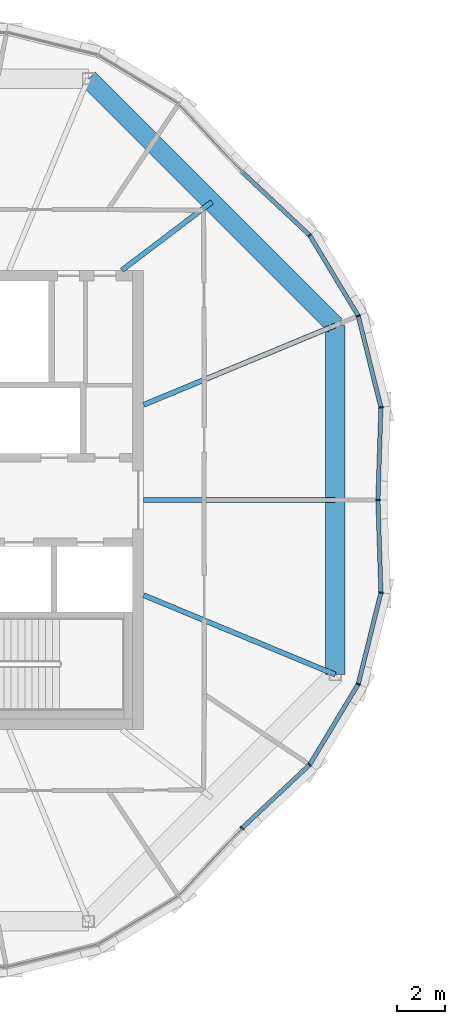
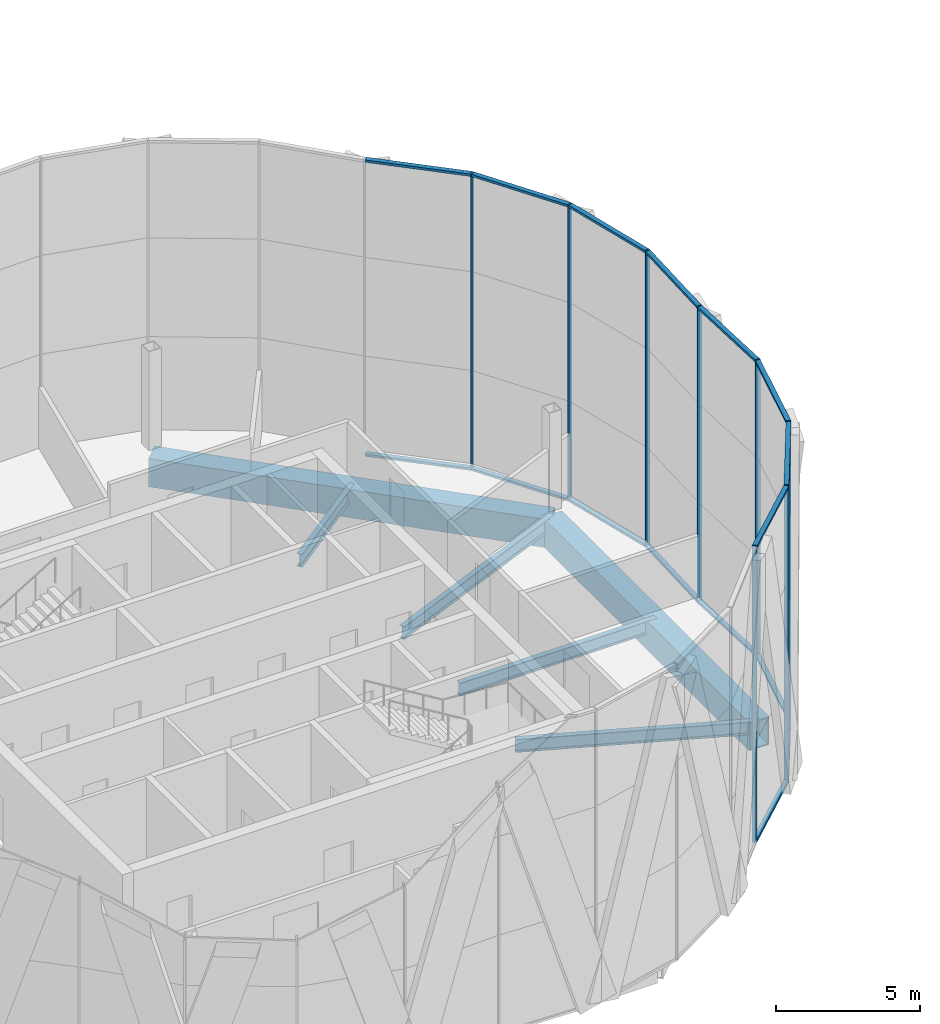
# One storey, part 6 of 23: 24 members, 6 beams, 3 elements without a shape of their own.
"""IFC4 building model written with IfcOpenShell, lengths in metres."""

from ifc_helpers import new_model, si_unit, direction, frame, origin, origin_2d, place, context, subcontext, project, spatial, rectangle, hollow_rectangle, i_section, extrude, material, material_profile, profile_set, type_object, element, aggregate, save


model = new_model("IFC4")

# Units and contexts
model_context = context("Model", 3, precision=1e-05, world=origin(), true_north=direction((0.0, 1.0)))
body_context = subcontext(model_context, "Body", "Model", "MODEL_VIEW")
ifc_project = project(units=[si_unit("LENGTHUNIT", "METRE"), si_unit("AREAUNIT", "SQUARE_METRE"), si_unit("VOLUMEUNIT", "CUBIC_METRE"), si_unit("PLANEANGLEUNIT", "RADIAN"), si_unit("MASSUNIT", "GRAM", prefix="KILO")], contexts=[model_context])

# Site, building, storey
site_placement = place(None, origin())
site = spatial("IfcSite", under=ifc_project, at=site_placement, CompositionType="ELEMENT")
building_placement = place(site_placement, origin())
building = spatial("IfcBuilding", under=site, at=building_placement, Name="Ogive Gate Towers", CompositionType="ELEMENT")
storey_placement = place(building_placement, frame((0.0, 0.0, 256.199951171875)))
storey = spatial("IfcBuildingStorey", under=building, at=storey_placement, Name="L60", CompositionType="ELEMENT", Elevation=256.199951171875)

# Beams
ifc_material_1 = material(Name="Steel SM460", Category="steel")
ifc_material_profile_1 = material_profile(ifc_material_1, hollow_rectangle(XDim=0.800048828125, YDim=1.199951171875, WallThickness=0.050048828125, at=origin_2d()), Name="BX 1200x800x50")
ifc_profile_set_1 = profile_set([ifc_material_profile_1], Name="Steel SM460")
beam_type_1 = type_object("IfcBeamType", Name="Edge girder BX 1200x800x50", PredefinedType="BEAM", material=ifc_profile_set_1)
beam_1_placement = place(storey_placement, frame((-18.57568359375, -7.217529296875, -0.89990234375), z_axis=(0.0, 1.0, 0.0), x_axis=(-1.0, 0.0, 0.0)))
element("IfcBeam", 1, at=beam_1_placement, inside=storey, type_object=beam_type_1, Name="T1/L60/SBM020", PredefinedType="BEAM", context=body_context, shape_type="SweptSolid", body=[
    extrude(hollow_rectangle(XDim=0.800048828125, YDim=1.199951171875, WallThickness=0.050048828125, at=origin_2d()), origin(), (0.0, 0.0, 1.0), 14.43505859375),
])
beam_2_placement = place(storey_placement, frame((-18.57568359375, 7.217529296875, -0.89990234375), z_axis=(-0.707106781187, 0.707106781187, 0.0), x_axis=(-0.707106781187, -0.707106781187, 0.0)))
element("IfcBeam", 2, at=beam_2_placement, inside=storey, type_object=beam_type_1, Name="T1/L60/SBM021", PredefinedType="BEAM", context=body_context, shape_type="SweptSolid", body=[
    extrude(hollow_rectangle(XDim=0.800048828125, YDim=1.199951171875, WallThickness=0.050048828125, at=origin_2d()), origin(), (0.0, 0.0, 1.0), 14.4345703125),
])
ifc_material_2 = material(Name="Steel SM355", Category="steel")
ifc_material_profile_2 = material_profile(ifc_material_2, i_section(OverallWidth=0.2099609375, OverallDepth=0.550048828125, WebThickness=0.010986328125, FlangeThickness=0.01708984375, FilletRadius=0.02392578125, at=origin_2d()), Name="IPE 550")
ifc_profile_set_2 = profile_set([ifc_material_profile_2], Name="Steel SM355")
beam_type_2 = type_object("IfcBeamType", Name="Radial floor beam IPE 550", PredefinedType="BEAM", material=ifc_profile_set_2)
beam_3_placement = place(storey_placement, frame((-26.5, -3.93505859375, -0.574951171875), z_axis=(0.923874941579, -0.382694515667, 0.0), x_axis=(0.382694515667, 0.923874941579, 0.0)))
element("IfcBeam", 3, at=beam_3_placement, inside=storey, type_object=beam_type_2, Name="T1/L60/SBM007", PredefinedType="BEAM", context=body_context, shape_type="SweptSolid", body=[
    extrude(i_section(OverallWidth=0.2099609375, OverallDepth=0.550048828125, WebThickness=0.010986328125, FlangeThickness=0.01708984375, FilletRadius=0.02392578125, at=origin_2d()), origin(), (0.0, 0.0, 1.0), 8.5771484375),
])
beam_4_placement = place(storey_placement, frame((-26.5, 0.0, -0.574951171875), z_axis=(1.0, 0.0, 0.0), x_axis=(0.0, 1.0, 0.0)))
element("IfcBeam", 4, at=beam_4_placement, inside=storey, type_object=beam_type_2, Name="T1/L60/SBM008", PredefinedType="BEAM", context=body_context, shape_type="SweptSolid", body=[
    extrude(i_section(OverallWidth=0.2099609375, OverallDepth=0.550048828125, WebThickness=0.010986328125, FlangeThickness=0.01708984375, FilletRadius=0.02392578125, at=origin_2d()), origin(), (0.0, 0.0, 1.0), 7.92431640625),
])
beam_5_placement = place(storey_placement, frame((-26.5, 3.93505859375, -0.574951171875), z_axis=(0.923874941579, 0.382694515667, 0.0), x_axis=(-0.382694515667, 0.923874941579, 0.0)))
element("IfcBeam", 5, at=beam_5_placement, inside=storey, type_object=beam_type_2, Name="T1/L60/SBM009", PredefinedType="BEAM", context=body_context, shape_type="SweptSolid", body=[
    extrude(i_section(OverallWidth=0.2099609375, OverallDepth=0.550048828125, WebThickness=0.010986328125, FlangeThickness=0.01708984375, FilletRadius=0.02392578125, at=origin_2d()), origin(), (0.0, 0.0, 1.0), 8.5771484375),
])
beam_6_placement = place(storey_placement, frame((-27.39990234375, 9.5, -0.574951171875), z_axis=(0.796877025219, 0.604141545235, 0.0), x_axis=(-0.604141545235, 0.796877025219, 0.0)))
element("IfcBeam", 6, at=beam_6_placement, inside=storey, type_object=beam_type_2, Name="T1/L60/SBM010", PredefinedType="BEAM", context=body_context, shape_type="SweptSolid", body=[
    extrude(i_section(OverallWidth=0.2099609375, OverallDepth=0.550048828125, WebThickness=0.010986328125, FlangeThickness=0.01708984375, FilletRadius=0.02392578125, at=origin_2d()), origin(), (0.0, 0.0, 1.0), 4.669189453125),
])

# Curtain wall, members
ifc_material_3 = material(Name="Pale metal aluminium", Category="aluminium")
curtain_wall_type = type_object("IfcCurtainWallType", Name="Tower unitised wall, high zone", PredefinedType="NOTDEFINED", material=ifc_material_3)
curtain_wall_1_placement = place(storey_placement, origin())
curtain_wall_1 = element("IfcCurtainWall", 7, at=curtain_wall_1_placement, inside=storey, type_object=curtain_wall_type, Name="CW2 T1 ECW01", PredefinedType="NOTDEFINED")
ifc_material_profile_3 = material_profile(ifc_material_3, rectangle(XDim=0.179931640625, YDim=0.06005859375, at=origin_2d()), Name="60 x 180 aluminium box")
ifc_profile_set_3 = profile_set([ifc_material_profile_3], Name="Pale metal aluminium")
member_type_1 = type_object("IfcMemberType", Name="Tower unitised wall, high zone mullion 60 x 180", PredefinedType="MULLION", material=ifc_profile_set_3)
member_1_placement = place(storey_placement, frame((-16.809814453125, 0.000244140625, -0.300048828125), z_axis=(0.0, 0.0, 1.0), x_axis=(0.999479895007, -0.032248092615, 0.0)))
member_1 = element("IfcMember", 8, at=member_1_placement, type_object=member_type_1, Name="CW2 mullion", PredefinedType="MULLION", context=body_context, shape_type="SweptSolid", body=[
    extrude(rectangle(XDim=0.179931640625, YDim=0.06005859375, at=origin_2d()), origin(), (0.0, 0.0, 1.0), 12.60009765625),
])
member_2_placement = place(storey_placement, frame((-16.68603515625, 3.833251953125, -0.300048828125), z_axis=(0.0, 0.0, 1.0), x_axis=(0.994450514713, 0.105205388581, 0.0)))
member_2 = element("IfcMember", 9, at=member_2_placement, type_object=member_type_1, Name="CW2 mullion", PredefinedType="MULLION", context=body_context, shape_type="SweptSolid", body=[
    extrude(rectangle(XDim=0.179931640625, YDim=0.06005859375, at=origin_2d()), origin(), (0.0, 0.0, 1.0), 12.60009765625),
])
member_3_placement = place(storey_placement, frame((-17.623046875, 7.612060546875, -0.300048828125), z_axis=(0.0, 0.0, 1.0), x_axis=(0.923879532511, 0.382683432365, 0.0)))
member_3 = element("IfcMember", 10, at=member_3_placement, type_object=member_type_1, Name="CW2 mullion", PredefinedType="MULLION", context=body_context, shape_type="SweptSolid", body=[
    extrude(rectangle(XDim=0.179931640625, YDim=0.06005859375, at=origin_2d()), origin(), (0.0, 0.0, 1.0), 12.60009765625),
])
member_4_placement = place(storey_placement, frame((-19.632568359375, 10.9462890625, -0.300048828125), z_axis=(0.0, 0.0, 1.0), x_axis=(0.777574146191, 0.628791258825, 0.0)))
member_4 = element("IfcMember", 11, at=member_4_placement, type_object=member_type_1, Name="CW2 mullion", PredefinedType="MULLION", context=body_context, shape_type="SweptSolid", body=[
    extrude(rectangle(XDim=0.179931640625, YDim=0.06005859375, at=origin_2d()), origin(), (0.0, 0.0, 1.0), 12.60009765625),
])

# Curtain wall, member
curtain_wall_2_placement = place(storey_placement, origin())
curtain_wall_2 = element("IfcCurtainWall", 12, at=curtain_wall_2_placement, inside=storey, type_object=curtain_wall_type, Name="CW2 T1 ECW07", PredefinedType="NOTDEFINED")
member_5_placement = place(storey_placement, frame((-22.430908203125, -13.569580078125, -0.300048828125), z_axis=(0.0, 0.0, 1.0), x_axis=(0.729541856388, -0.68393616645, 0.0)))
member_5 = element("IfcMember", 13, at=member_5_placement, type_object=member_type_1, Name="CW2 mullion", PredefinedType="MULLION", context=body_context, shape_type="SweptSolid", body=[
    extrude(rectangle(XDim=0.179931640625, YDim=0.06005859375, at=origin_2d()), origin(), (0.0, 0.0, 1.0), 12.60009765625),
])
aggregate(curtain_wall_2, [member_5])

# Curtain wall, members
curtain_wall_3_placement = place(storey_placement, origin())
curtain_wall_3 = element("IfcCurtainWall", 14, at=curtain_wall_3_placement, inside=storey, type_object=curtain_wall_type, Name="CW2 T1 ECW08", PredefinedType="NOTDEFINED")
member_6_placement = place(storey_placement, frame((-19.632568359375, -10.9462890625, -0.300048828125), z_axis=(0.0, 0.0, 1.0), x_axis=(0.777574146191, -0.628791258825, 0.0)))
member_6 = element("IfcMember", 15, at=member_6_placement, type_object=member_type_1, Name="CW2 mullion", PredefinedType="MULLION", context=body_context, shape_type="SweptSolid", body=[
    extrude(rectangle(XDim=0.179931640625, YDim=0.06005859375, at=origin_2d()), origin(), (0.0, 0.0, 1.0), 12.60009765625),
])
member_7_placement = place(storey_placement, frame((-17.623046875, -7.612060546875, -0.300048828125), z_axis=(0.0, 0.0, 1.0), x_axis=(0.923879532511, -0.382683432365, 0.0)))
member_7 = element("IfcMember", 16, at=member_7_placement, type_object=member_type_1, Name="CW2 mullion", PredefinedType="MULLION", context=body_context, shape_type="SweptSolid", body=[
    extrude(rectangle(XDim=0.179931640625, YDim=0.06005859375, at=origin_2d()), origin(), (0.0, 0.0, 1.0), 12.60009765625),
])
member_8_placement = place(storey_placement, frame((-16.68603515625, -3.833251953125, -0.300048828125), z_axis=(0.0, 0.0, 1.0), x_axis=(0.994450514713, -0.105205388581, 0.0)))
member_8 = element("IfcMember", 17, at=member_8_placement, type_object=member_type_1, Name="CW2 mullion", PredefinedType="MULLION", context=body_context, shape_type="SweptSolid", body=[
    extrude(rectangle(XDim=0.179931640625, YDim=0.06005859375, at=origin_2d()), origin(), (0.0, 0.0, 1.0), 12.60009765625),
])

# Member
ifc_material_profile_4 = material_profile(ifc_material_3, rectangle(XDim=0.179931640625, YDim=0.10009765625, at=origin_2d()), Name="100 x 180 aluminium box")
ifc_profile_set_4 = profile_set([ifc_material_profile_4], Name="Pale metal aluminium")
member_type_2 = type_object("IfcMemberType", Name="Tower unitised wall, high zone transom 100 x 180", PredefinedType="USERDEFINED", material=ifc_profile_set_4)
member_9_placement = place(storey_placement, frame((-16.808837890625, 0.0302734375, 12.25), z_axis=(0.032195461365, 0.99948159176, 0.0), x_axis=(-0.99948159176, 0.032195461365, 0.0)))
member_9 = element("IfcMember", 18, at=member_9_placement, type_object=member_type_2, Name="CW2 transom", ObjectType="TRANSOM", PredefinedType="USERDEFINED", context=body_context, shape_type="SweptSolid", body=[
    extrude(rectangle(XDim=0.179931640625, YDim=0.10009765625, at=origin_2d()), origin(), (0.0, 0.0, 1.0), 3.7763671875),
])

member_10_placement = place(storey_placement, frame((-16.808837890625, 0.0302734375, -0.25), z_axis=(0.032195461365, 0.99948159176, 0.0), x_axis=(-0.99948159176, 0.032195461365, 0.0)))
member_10 = element("IfcMember", 19, at=member_10_placement, type_object=member_type_2, Name="CW2 transom", ObjectType="TRANSOM", PredefinedType="USERDEFINED", context=body_context, shape_type="SweptSolid", body=[
    extrude(rectangle(XDim=0.179931640625, YDim=0.10009765625, at=origin_2d()), origin(), (0.0, 0.0, 1.0), 3.7763671875),
])

member_11_placement = place(storey_placement, frame((-16.693115234375, 3.861083984375, 12.25), z_axis=(-0.240648228376, 0.97061239956, 0.0), x_axis=(-0.97061239956, -0.240648228376, 0.0)))
member_11 = element("IfcMember", 20, at=member_11_placement, type_object=member_type_2, Name="CW2 transom", ObjectType="TRANSOM", PredefinedType="USERDEFINED", context=body_context, shape_type="SweptSolid", body=[
    extrude(rectangle(XDim=0.179931640625, YDim=0.10009765625, at=origin_2d()), origin(), (0.0, 0.0, 1.0), 3.8359375),
])

member_12_placement = place(storey_placement, frame((-16.693115234375, 3.861083984375, -0.25), z_axis=(-0.240648228376, 0.97061239956, 0.0), x_axis=(-0.97061239956, -0.240648228376, 0.0)))
member_12 = element("IfcMember", 21, at=member_12_placement, type_object=member_type_2, Name="CW2 transom", ObjectType="TRANSOM", PredefinedType="USERDEFINED", context=body_context, shape_type="SweptSolid", body=[
    extrude(rectangle(XDim=0.179931640625, YDim=0.10009765625, at=origin_2d()), origin(), (0.0, 0.0, 1.0), 3.8359375),
])

member_13_placement = place(storey_placement, frame((-17.6376953125, 7.63623046875, 12.25), z_axis=(-0.516188713906, 0.856474875076, 0.0), x_axis=(-0.856474875076, -0.516188713906, 0.0)))
member_13 = element("IfcMember", 22, at=member_13_placement, type_object=member_type_2, Name="CW2 transom", ObjectType="TRANSOM", PredefinedType="USERDEFINED", context=body_context, shape_type="SweptSolid", body=[
    extrude(rectangle(XDim=0.179931640625, YDim=0.10009765625, at=origin_2d()), origin(), (0.0, 0.0, 1.0), 3.836181640625),
])

member_14_placement = place(storey_placement, frame((-17.6376953125, 7.63623046875, -0.25), z_axis=(-0.516188713906, 0.856474875076, 0.0), x_axis=(-0.856474875076, -0.516188713906, 0.0)))
member_14 = element("IfcMember", 23, at=member_14_placement, type_object=member_type_2, Name="CW2 transom", ObjectType="TRANSOM", PredefinedType="USERDEFINED", context=body_context, shape_type="SweptSolid", body=[
    extrude(rectangle(XDim=0.179931640625, YDim=0.10009765625, at=origin_2d()), origin(), (0.0, 0.0, 1.0), 3.836181640625),
])

member_15_placement = place(storey_placement, frame((-19.6533203125, 10.9658203125, 12.25), z_axis=(-0.729559380509, 0.683917473319, 0.0), x_axis=(-0.683917473319, -0.729559380509, 0.0)))
member_15 = element("IfcMember", 24, at=member_15_placement, type_object=member_type_2, Name="CW2 transom", ObjectType="TRANSOM", PredefinedType="USERDEFINED", context=body_context, shape_type="SweptSolid", body=[
    extrude(rectangle(XDim=0.179931640625, YDim=0.10009765625, at=origin_2d()), origin(), (0.0, 0.0, 1.0), 3.7763671875),
])

member_16_placement = place(storey_placement, frame((-19.6533203125, 10.9658203125, -0.25), z_axis=(-0.729559380509, 0.683917473319, 0.0), x_axis=(-0.683917473319, -0.729559380509, 0.0)))
member_16 = element("IfcMember", 25, at=member_16_placement, type_object=member_type_2, Name="CW2 transom", ObjectType="TRANSOM", PredefinedType="USERDEFINED", context=body_context, shape_type="SweptSolid", body=[
    extrude(rectangle(XDim=0.179931640625, YDim=0.10009765625, at=origin_2d()), origin(), (0.0, 0.0, 1.0), 3.7763671875),
])

aggregate(curtain_wall_1, [member_1, member_2, member_9, member_10, member_3, member_11, member_12, member_4, member_13, member_14, member_15, member_16])

member_17_placement = place(storey_placement, frame((-22.408447265625, -13.548583984375, 12.25), z_axis=(0.729559380509, 0.683917473319, 0.0), x_axis=(-0.683917473319, 0.729559380509, 0.0)))
member_17 = element("IfcMember", 26, at=member_17_placement, type_object=member_type_2, Name="CW2 transom", ObjectType="TRANSOM", PredefinedType="USERDEFINED", context=body_context, shape_type="SweptSolid", body=[
    extrude(rectangle(XDim=0.179931640625, YDim=0.10009765625, at=origin_2d()), origin(), (0.0, 0.0, 1.0), 3.7763671875),
])

member_18_placement = place(storey_placement, frame((-22.408447265625, -13.548583984375, -0.25), z_axis=(0.729559380509, 0.683917473319, 0.0), x_axis=(-0.683917473319, 0.729559380509, 0.0)))
member_18 = element("IfcMember", 27, at=member_18_placement, type_object=member_type_2, Name="CW2 transom", ObjectType="TRANSOM", PredefinedType="USERDEFINED", context=body_context, shape_type="SweptSolid", body=[
    extrude(rectangle(XDim=0.179931640625, YDim=0.10009765625, at=origin_2d()), origin(), (0.0, 0.0, 1.0), 3.7763671875),
])

member_19_placement = place(storey_placement, frame((-19.617919921875, -10.921875, 12.25), z_axis=(0.516188713906, 0.856474875076, 0.0), x_axis=(-0.856474875076, 0.516188713906, 0.0)))
member_19 = element("IfcMember", 28, at=member_19_placement, type_object=member_type_2, Name="CW2 transom", ObjectType="TRANSOM", PredefinedType="USERDEFINED", context=body_context, shape_type="SweptSolid", body=[
    extrude(rectangle(XDim=0.179931640625, YDim=0.10009765625, at=origin_2d()), origin(), (0.0, 0.0, 1.0), 3.836181640625),
])

member_20_placement = place(storey_placement, frame((-19.617919921875, -10.921875, -0.25), z_axis=(0.516188713906, 0.856474875076, 0.0), x_axis=(-0.856474875076, 0.516188713906, 0.0)))
member_20 = element("IfcMember", 29, at=member_20_placement, type_object=member_type_2, Name="CW2 transom", ObjectType="TRANSOM", PredefinedType="USERDEFINED", context=body_context, shape_type="SweptSolid", body=[
    extrude(rectangle(XDim=0.179931640625, YDim=0.10009765625, at=origin_2d()), origin(), (0.0, 0.0, 1.0), 3.836181640625),
])

member_21_placement = place(storey_placement, frame((-17.6162109375, -7.584228515625, 12.25), z_axis=(0.240648228376, 0.97061239956, 0.0), x_axis=(-0.97061239956, 0.240648228376, 0.0)))
member_21 = element("IfcMember", 30, at=member_21_placement, type_object=member_type_2, Name="CW2 transom", ObjectType="TRANSOM", PredefinedType="USERDEFINED", context=body_context, shape_type="SweptSolid", body=[
    extrude(rectangle(XDim=0.179931640625, YDim=0.10009765625, at=origin_2d()), origin(), (0.0, 0.0, 1.0), 3.8359375),
])

member_22_placement = place(storey_placement, frame((-17.6162109375, -7.584228515625, -0.25), z_axis=(0.240648228376, 0.97061239956, 0.0), x_axis=(-0.97061239956, 0.240648228376, 0.0)))
member_22 = element("IfcMember", 31, at=member_22_placement, type_object=member_type_2, Name="CW2 transom", ObjectType="TRANSOM", PredefinedType="USERDEFINED", context=body_context, shape_type="SweptSolid", body=[
    extrude(rectangle(XDim=0.179931640625, YDim=0.10009765625, at=origin_2d()), origin(), (0.0, 0.0, 1.0), 3.8359375),
])

member_23_placement = place(storey_placement, frame((-16.687255859375, -3.8046875, 12.25), z_axis=(-0.032195461365, 0.99948159176, 0.0), x_axis=(-0.99948159176, -0.032195461365, 0.0)))
member_23 = element("IfcMember", 32, at=member_23_placement, type_object=member_type_2, Name="CW2 transom", ObjectType="TRANSOM", PredefinedType="USERDEFINED", context=body_context, shape_type="SweptSolid", body=[
    extrude(rectangle(XDim=0.179931640625, YDim=0.10009765625, at=origin_2d()), origin(), (0.0, 0.0, 1.0), 3.7763671875),
])

member_24_placement = place(storey_placement, frame((-16.687255859375, -3.8046875, -0.25), z_axis=(-0.032195461365, 0.99948159176, 0.0), x_axis=(-0.99948159176, -0.032195461365, 0.0)))
member_24 = element("IfcMember", 33, at=member_24_placement, type_object=member_type_2, Name="CW2 transom", ObjectType="TRANSOM", PredefinedType="USERDEFINED", context=body_context, shape_type="SweptSolid", body=[
    extrude(rectangle(XDim=0.179931640625, YDim=0.10009765625, at=origin_2d()), origin(), (0.0, 0.0, 1.0), 3.7763671875),
])

aggregate(curtain_wall_3, [member_6, member_17, member_18, member_7, member_19, member_20, member_8, member_21, member_22, member_23, member_24])

save(model, "model.ifc")
